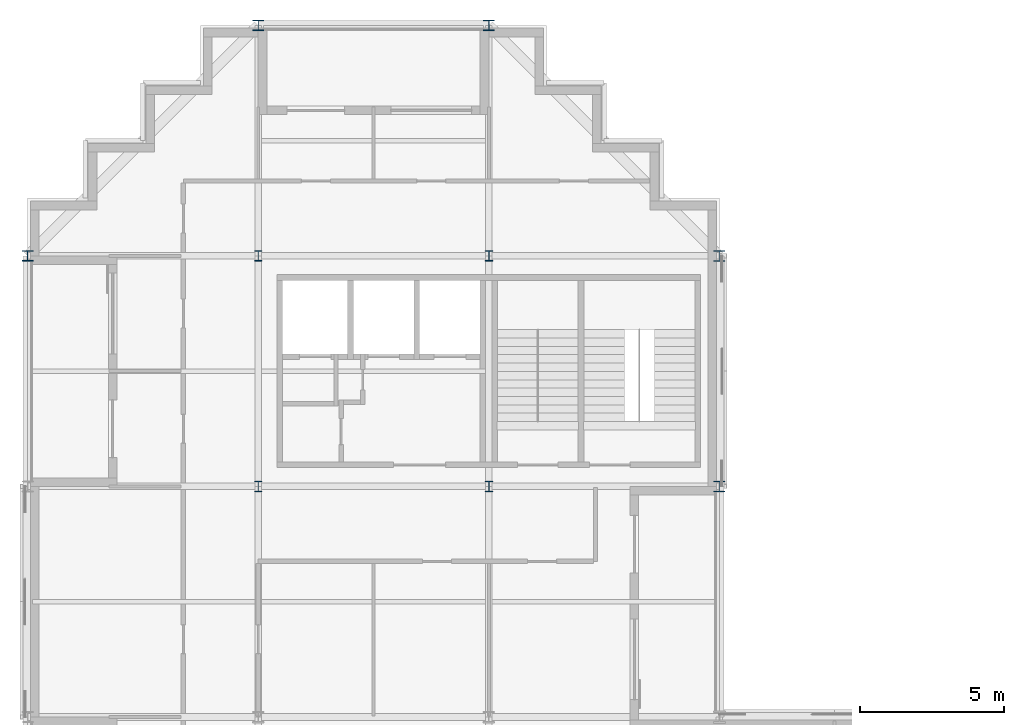
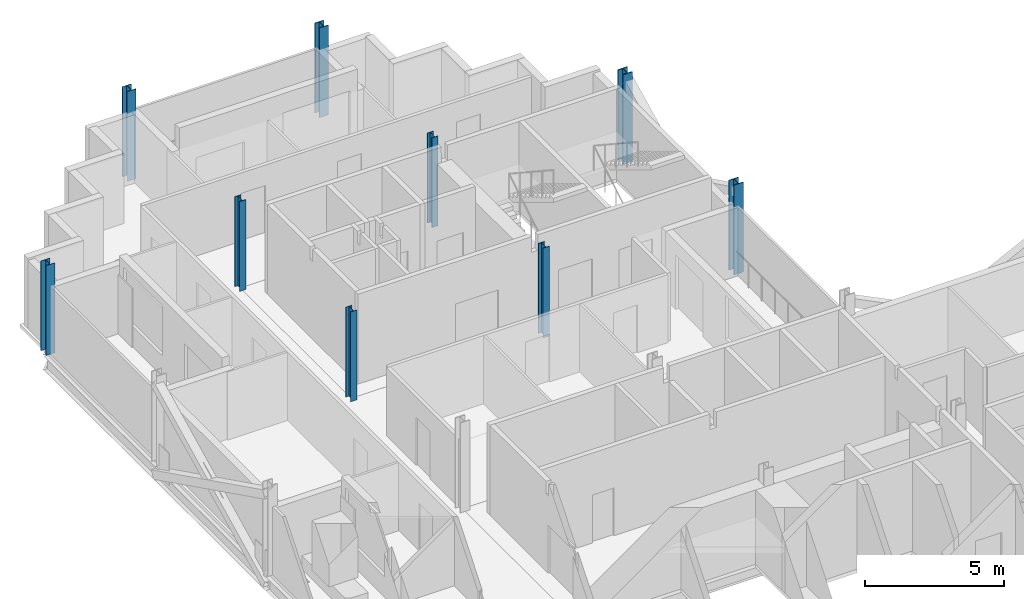
# One storey, part 2 of 12: 9 columns.
"""IFC4 building model written with IfcOpenShell, lengths in metres."""

from ifc_helpers import new_model, si_unit, direction, frame, origin, origin_2d, place, context, subcontext, project, spatial, i_section, extrude, material, material_profile, profile_set, type_object, element, save


model = new_model("IFC4")

# Units and contexts
model_context = context("Model", 3, precision=1e-05, world=origin(), true_north=direction((0.0, 1.0)))
body_context = subcontext(model_context, "Body", "Model", "MODEL_VIEW")
ifc_project = project(units=[si_unit("LENGTHUNIT", "METRE"), si_unit("AREAUNIT", "SQUARE_METRE"), si_unit("VOLUMEUNIT", "CUBIC_METRE"), si_unit("PLANEANGLEUNIT", "RADIAN"), si_unit("MASSUNIT", "GRAM", prefix="KILO")], contexts=[model_context])

# Site, building, storey
site_placement = place(None, origin())
site = spatial("IfcSite", under=ifc_project, at=site_placement, CompositionType="ELEMENT")
building_placement = place(site_placement, origin())
building = spatial("IfcBuilding", under=site, at=building_placement, Name="Immortelle Media Tower", CompositionType="ELEMENT")
storey_placement = place(building_placement, frame((0.0, 0.0, 178.800048828125)))
storey = spatial("IfcBuildingStorey", under=building, at=storey_placement, Name="L37", CompositionType="ELEMENT", Elevation=178.800048828125)

# Columns
ifc_material = material(Name="Steel ASTM A992 Gr 50", Category="steel")
ifc_material_profile_1 = material_profile(ifc_material, i_section(OverallWidth=0.373046875, OverallDepth=0.367919921875, WebThickness=0.014892578125, FlangeThickness=0.02392578125, at=origin_2d()), Name="W14x120")
ifc_profile_set_1 = profile_set([ifc_material_profile_1], Name="Steel ASTM A992 Gr 50")
column_type_1 = type_object("IfcColumnType", Name="W14x120 column", PredefinedType="COLUMN", material=ifc_profile_set_1)
for number, where, z_axis, x_axis, name in (
    (1, (0.0, 40.0, 0.0), (0.0, 0.0, 1.0), (1.0, 0.0, 0.0), "Column 1/F"),
    (2, (8.0, 48.0, 0.0), (0.0, 0.0, 1.0), (1.0, 0.0, 0.0), "Column 2/G"),
    (3, (16.0, 48.0, 0.0), (0.0, 0.0, 1.0), (1.0, 0.0, 0.0), "Column 3/G"),
):
    element("IfcColumn", number, at=place(storey_placement, frame(where, z_axis=z_axis, x_axis=x_axis)), inside=storey, type_object=column_type_1, Name=name, PredefinedType="COLUMN", context=body_context, shape_type="SweptSolid", body=[
        extrude(i_section(OverallWidth=0.373046875, OverallDepth=0.367919921875, WebThickness=0.014892578125, FlangeThickness=0.02392578125, at=origin_2d()), origin(), (0.0, 0.0, 1.0), 3.949951171875),
    ])
ifc_material_profile_2 = material_profile(ifc_material, i_section(OverallWidth=0.39892578125, OverallDepth=0.385986328125, WebThickness=0.02099609375, FlangeThickness=0.032958984375, at=origin_2d()), Name="W14x176")
ifc_profile_set_2 = profile_set([ifc_material_profile_2], Name="Steel ASTM A992 Gr 50")
column_type_2 = type_object("IfcColumnType", Name="W14x176 column", PredefinedType="COLUMN", material=ifc_profile_set_2)
for number, where, z_axis, x_axis, name in (
    (4, (24.0, 32.0, 0.0), (0.0, 0.0, 1.0), (1.0, 0.0, 0.0), "Column 4/E"),
    (5, (24.0, 40.0, 0.0), (0.0, 0.0, 1.0), (1.0, 0.0, 0.0), "Column 4/F"),
):
    element("IfcColumn", number, at=place(storey_placement, frame(where, z_axis=z_axis, x_axis=x_axis)), inside=storey, type_object=column_type_2, Name=name, PredefinedType="COLUMN", context=body_context, shape_type="SweptSolid", body=[
        extrude(i_section(OverallWidth=0.39892578125, OverallDepth=0.385986328125, WebThickness=0.02099609375, FlangeThickness=0.032958984375, at=origin_2d()), origin(), (0.0, 0.0, 1.0), 3.949951171875),
    ])
ifc_material_profile_3 = material_profile(ifc_material, i_section(OverallWidth=0.257080078125, OverallDepth=0.363037109375, WebThickness=0.012939453125, FlangeThickness=0.02197265625, at=origin_2d()), Name="W14x82")
ifc_profile_set_3 = profile_set([ifc_material_profile_3], Name="Steel ASTM A992 Gr 50")
column_type_3 = type_object("IfcColumnType", Name="W14x82 column", PredefinedType="COLUMN", material=ifc_profile_set_3)
for number, where, z_axis, x_axis, name in (
    (6, (8.0, 32.0, 0.0), (0.0, 0.0, 1.0), (1.0, 0.0, 0.0), "Column 2/E"),
    (7, (8.0, 40.0, 0.0), (0.0, 0.0, 1.0), (1.0, 0.0, 0.0), "Column 2/F"),
    (8, (16.0, 32.0, 0.0), (0.0, 0.0, 1.0), (1.0, 0.0, 0.0), "Column 3/E"),
    (9, (16.0, 40.0, 0.0), (0.0, 0.0, 1.0), (1.0, 0.0, 0.0), "Column 3/F"),
):
    element("IfcColumn", number, at=place(storey_placement, frame(where, z_axis=z_axis, x_axis=x_axis)), inside=storey, type_object=column_type_3, Name=name, PredefinedType="COLUMN", context=body_context, shape_type="SweptSolid", body=[
        extrude(i_section(OverallWidth=0.257080078125, OverallDepth=0.363037109375, WebThickness=0.012939453125, FlangeThickness=0.02197265625, at=origin_2d()), origin(), (0.0, 0.0, 1.0), 3.949951171875),
    ])

save(model, "model.ifc")
